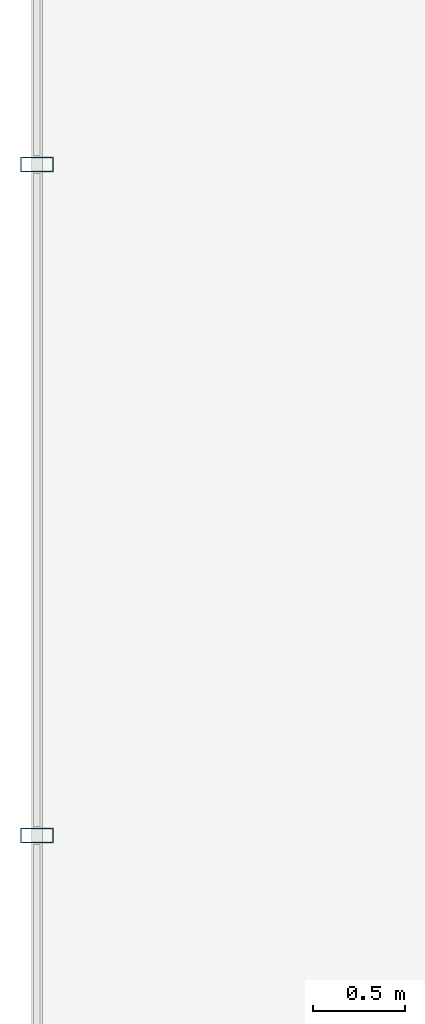
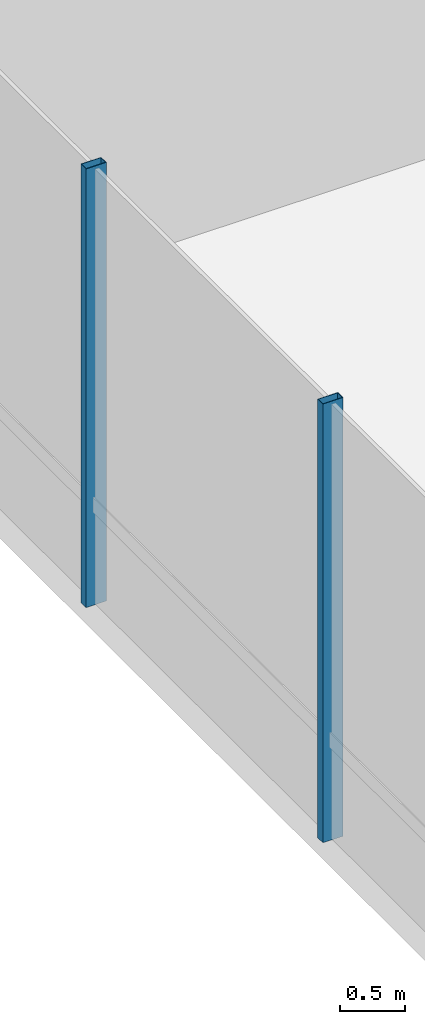
# One storey, part 9 of 37: 2 members, 1 element without a shape of its own.
"""IFC4 building model written with IfcOpenShell, lengths in metres."""

from ifc_helpers import new_model, si_unit, direction, frame, origin, origin_2d, place, context, subcontext, project, spatial, hollow_rectangle, extrude, material, layer, layer_set, material_profile, profile_set, type_object, element, aggregate, save


model = new_model("IFC4")

# Units and contexts
model_context = context("Model", 3, precision=1e-05, world=origin(), true_north=direction((0.0, 1.0)))
body_context = subcontext(model_context, "Body", "Model", "MODEL_VIEW")
ifc_project = project(units=[si_unit("LENGTHUNIT", "METRE"), si_unit("AREAUNIT", "SQUARE_METRE"), si_unit("VOLUMEUNIT", "CUBIC_METRE"), si_unit("PLANEANGLEUNIT", "RADIAN"), si_unit("MASSUNIT", "GRAM", prefix="KILO")], contexts=[model_context])

# Site, building, storey
site_placement = place(None, origin())
site = spatial("IfcSite", under=ifc_project, at=site_placement, CompositionType="ELEMENT")
building_placement = place(site_placement, origin())
building = spatial("IfcBuilding", under=site, at=building_placement, Name="Zarrinselat Tower", CompositionType="ELEMENT")
storey_placement = place(building_placement, frame((0.0, 0.0, 13.93994140625)))
storey = spatial("IfcBuildingStorey", under=building, at=storey_placement, Name="L03", CompositionType="ELEMENT", Elevation=13.93994140625)

# Curtain wall, members
ifc_material_1 = material(Name="Extruded Aluminium Alloy EN AW-6063 T6", Category="aluminium")
ifc_layer = layer(ifc_material_1, 0.2099609375)
ifc_layer_set = layer_set([ifc_layer], Name="Extruded Aluminium Alloy EN AW-6063 T6")
curtain_wall_type = type_object("IfcCurtainWallType", Name="CWS-POD", PredefinedType="NOTDEFINED", material=ifc_layer_set)
curtain_wall_placement = place(storey_placement, origin())
curtain_wall = element("IfcCurtainWall", 1, at=curtain_wall_placement, inside=storey, type_object=curtain_wall_type, Name="L03 Unitised Curtain Wall CW-L03-F7", PredefinedType="NOTDEFINED")
ifc_material_2 = material(Name="Extruded Aluminium Alloy EN AW-6063 T6", Category="aluminium")
ifc_material_profile = material_profile(ifc_material_2, hollow_rectangle(XDim=0.080078125, YDim=0.179931640625, WallThickness=0.0048828125, at=origin_2d()), Name="RHS 180x80x5")
ifc_profile_set = profile_set([ifc_material_profile], Name="Extruded Aluminium Alloy EN AW-6063 T6")
member_type = type_object("IfcMemberType", Name="MEM-CW-MUL", PredefinedType="MULLION", material=ifc_profile_set)
member_1_placement = place(storey_placement, frame((2.39990234375, 36.02001953125, 0.0), z_axis=(0.0, 0.0, 1.0), x_axis=(0.0, -1.0, 0.0)))
member_1 = element("IfcMember", 2, at=member_1_placement, type_object=member_type, Name="CW-L03-F7 Mullion 3", PredefinedType="MULLION", context=body_context, shape_type="SweptSolid", body=[
    extrude(hollow_rectangle(XDim=0.080078125, YDim=0.179931640625, WallThickness=0.0048828125, at=origin_2d()), origin(), (0.0, 0.0, 1.0), 4.14013671875),
])
member_2_placement = place(storey_placement, frame((2.39990234375, 32.360107421875, 0.0), z_axis=(0.0, 0.0, 1.0), x_axis=(0.0, -1.0, 0.0)))
member_2 = element("IfcMember", 3, at=member_2_placement, type_object=member_type, Name="CW-L03-F7 Mullion 4", PredefinedType="MULLION", context=body_context, shape_type="SweptSolid", body=[
    extrude(hollow_rectangle(XDim=0.080078125, YDim=0.179931640625, WallThickness=0.0048828125, at=origin_2d()), origin(), (0.0, 0.0, 1.0), 4.14013671875),
])
aggregate(curtain_wall, [member_1, member_2])

save(model, "model.ifc")
